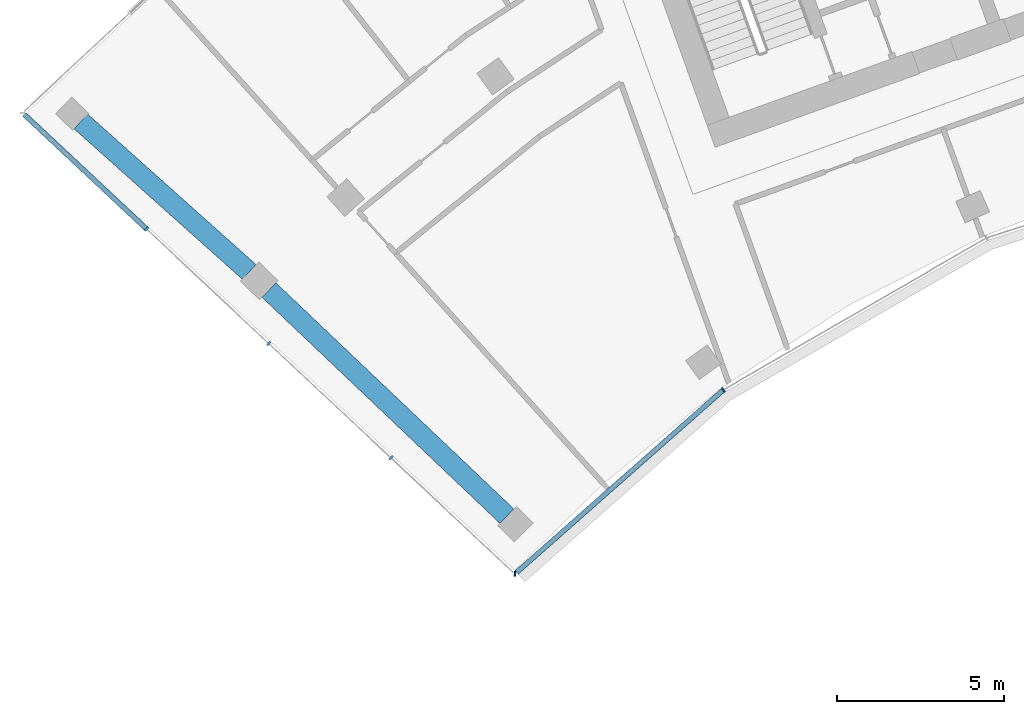
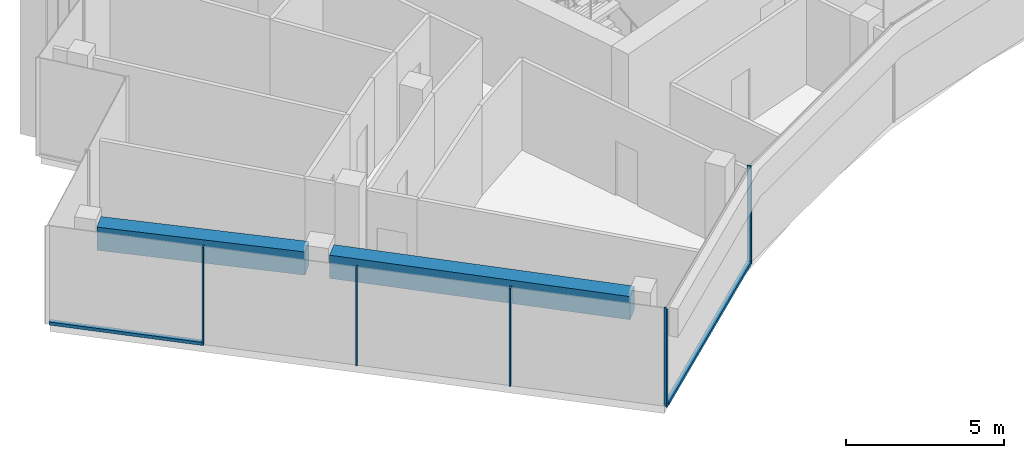
# One storey, part 2 of 19: 7 members, 2 beams, 2 elements without a shape of their own.
"""IFC4 building model written with IfcOpenShell, lengths in metres."""

from ifc_helpers import new_model, si_unit, direction, frame, origin, origin_2d, place, context, subcontext, project, spatial, rectangle, extrude, material, layer, layer_set, material_profile, profile_set, type_object, element, aggregate, save


model = new_model("IFC4")

# Units and contexts
model_context = context("Model", 3, precision=1e-05, world=origin(), true_north=direction((0.0, 1.0)))
body_context = subcontext(model_context, "Body", "Model", "MODEL_VIEW")
ifc_project = project(units=[si_unit("LENGTHUNIT", "METRE"), si_unit("AREAUNIT", "SQUARE_METRE"), si_unit("VOLUMEUNIT", "CUBIC_METRE"), si_unit("PLANEANGLEUNIT", "RADIAN"), si_unit("MASSUNIT", "GRAM", prefix="KILO")], contexts=[model_context])

# Site, building, storey
site_placement = place(None, origin())
site = spatial("IfcSite", under=ifc_project, at=site_placement, CompositionType="ELEMENT")
building_placement = place(site_placement, origin())
building = spatial("IfcBuilding", under=site, at=building_placement, Name="Stone Belt Terrace Tower", CompositionType="ELEMENT")
storey_placement = place(building_placement, frame((0.0, 0.0, 258.0)))
storey = spatial("IfcBuildingStorey", under=building, at=storey_placement, Name="L62", CompositionType="ELEMENT", Elevation=258.0)

# Curtain wall, members
ifc_material_1 = material(Name="Aluminium 6063-T6 anodised frame", Category="aluminium")
ifc_layer_1 = layer(ifc_material_1, 0.14990234375)
ifc_layer_set_1 = layer_set([ifc_layer_1], Name="CW-B unitised concave-face curtain wall")
curtain_wall_type_1 = type_object("IfcCurtainWallType", Name="CW-B unitised concave-face curtain wall", PredefinedType="NOTDEFINED", material=ifc_layer_set_1)
curtain_wall_1_placement = place(storey_placement, origin())
curtain_wall_1 = element("IfcCurtainWall", 1, at=curtain_wall_1_placement, inside=storey, type_object=curtain_wall_type_1, Name="CW-B concave face L62", PredefinedType="NOTDEFINED")
ifc_material_profile_1 = material_profile(ifc_material_1, rectangle(XDim=0.14990234375, YDim=0.050048828125, at=origin_2d()), Name="Aluminium 6063-T6 50x150")
ifc_profile_set_1 = profile_set([ifc_material_profile_1], Name="Aluminium 6063-T6 anodised frame")
member_type_1 = type_object("IfcMemberType", Name="CW-B mullion 50 x 150", PredefinedType="MULLION", material=ifc_profile_set_1)
member_1_placement = place(storey_placement, frame((-31.75244140625, 29.633056640625, 0.0), z_axis=(0.0, 0.0, 1.0), x_axis=(0.014681639593, 0.999892218921, 0.0)))
member_1 = element("IfcMember", 2, at=member_1_placement, type_object=member_type_1, Name="CW-B mullion 1", PredefinedType="MULLION", context=body_context, shape_type="SweptSolid", body=[
    extrude(rectangle(XDim=0.14990234375, YDim=0.050048828125, at=origin_2d()), origin(), (0.0, 0.0, 1.0), 3.800048828125),
])
member_2_placement = place(storey_placement, frame((-25.524658203125, 35.131103515625, 0.0), z_axis=(0.0, 0.0, 1.0), x_axis=(-0.583818854632, 0.811883947973, 0.0)))
member_2 = element("IfcMember", 3, at=member_2_placement, type_object=member_type_1, Name="CW-B mullion 2", PredefinedType="MULLION", context=body_context, shape_type="SweptSolid", body=[
    extrude(rectangle(XDim=0.14990234375, YDim=0.050048828125, at=origin_2d()), origin(), (0.0, 0.0, 1.0), 3.800048828125),
])
ifc_material_profile_2 = material_profile(ifc_material_1, rectangle(XDim=0.14990234375, YDim=0.1201171875, at=origin_2d()), Name="Aluminium 6063-T6 150x120")
ifc_profile_set_2 = profile_set([ifc_material_profile_2], Name="Aluminium 6063-T6 anodised frame")
member_type_2 = type_object("IfcMemberType", Name="CW-B transom 120 x 150", PredefinedType="USERDEFINED", material=ifc_profile_set_2)
member_3_placement = place(storey_placement, frame((-31.70068359375, 29.6787109375, 0.06005859375), z_axis=(0.749668527307, 0.661813492735, 0.0), x_axis=(-0.661813492735, 0.749668527307, 0.0)))
member_3 = element("IfcMember", 4, at=member_3_placement, type_object=member_type_2, Name="CW-B transom 1.1", ObjectType="TRANSOM", PredefinedType="USERDEFINED", context=body_context, shape_type="SweptSolid", body=[
    extrude(rectangle(XDim=0.14990234375, YDim=0.1201171875, at=origin_2d()), origin(), (0.0, 0.0, 1.0), 8.2060546875),
])
aggregate(curtain_wall_1, [member_1, member_2, member_3])

ifc_layer_2 = layer(ifc_material_1, 0.14990234375)
ifc_layer_set_2 = layer_set([ifc_layer_2], Name="CW-C stick curtain wall, horn ends and notches")
curtain_wall_type_2 = type_object("IfcCurtainWallType", Name="CW-C stick curtain wall, horn ends and notches", PredefinedType="NOTDEFINED", material=ifc_layer_set_2)
curtain_wall_2_placement = place(storey_placement, origin())
curtain_wall_2 = element("IfcCurtainWall", 5, at=curtain_wall_2_placement, inside=storey, type_object=curtain_wall_type_2, Name="CW-C end face L62", PredefinedType="NOTDEFINED")
ifc_material_profile_3 = material_profile(ifc_material_1, rectangle(XDim=0.14990234375, YDim=0.06005859375, at=origin_2d()), Name="Aluminium 6063-T6 60x150")
ifc_profile_set_3 = profile_set([ifc_material_profile_3], Name="Aluminium 6063-T6 anodised frame")
member_type_3 = type_object("IfcMemberType", Name="CW-C mullion 60 x 150", PredefinedType="MULLION", material=ifc_profile_set_3)
member_4_placement = place(storey_placement, frame((-42.750732421875, 39.932861328125, 0.0), z_axis=(0.0, 0.0, 1.0), x_axis=(0.683549434973, 0.729904219708, 0.0)))
member_4 = element("IfcMember", 6, at=member_4_placement, type_object=member_type_3, Name="CW-C mullion 2", PredefinedType="MULLION", context=body_context, shape_type="SweptSolid", body=[
    extrude(rectangle(XDim=0.14990234375, YDim=0.06005859375, at=origin_2d()), origin(), (0.0, 0.0, 1.0), 3.800048828125),
])
member_5_placement = place(storey_placement, frame((-39.10107421875, 36.51513671875, 0.0), z_axis=(0.0, 0.0, 1.0), x_axis=(0.683549434973, 0.729904219708, 0.0)))
member_5 = element("IfcMember", 7, at=member_5_placement, type_object=member_type_3, Name="CW-C mullion 3", PredefinedType="MULLION", context=body_context, shape_type="SweptSolid", body=[
    extrude(rectangle(XDim=0.14990234375, YDim=0.06005859375, at=origin_2d()), origin(), (0.0, 0.0, 1.0), 3.800048828125),
])
member_6_placement = place(storey_placement, frame((-35.45166015625, 33.097412109375, 0.0), z_axis=(0.0, 0.0, 1.0), x_axis=(0.683549434973, 0.729904219708, 0.0)))
member_6 = element("IfcMember", 8, at=member_6_placement, type_object=member_type_3, Name="CW-C mullion 4", PredefinedType="MULLION", context=body_context, shape_type="SweptSolid", body=[
    extrude(rectangle(XDim=0.14990234375, YDim=0.06005859375, at=origin_2d()), origin(), (0.0, 0.0, 1.0), 3.800048828125),
])
ifc_material_profile_4 = material_profile(ifc_material_1, rectangle(XDim=0.14990234375, YDim=0.1201171875, at=origin_2d()), Name="Aluminium 6063-T6 150x120")
ifc_profile_set_4 = profile_set([ifc_material_profile_4], Name="Aluminium 6063-T6 anodised frame")
member_type_4 = type_object("IfcMemberType", Name="CW-C transom 120 x 150", PredefinedType="USERDEFINED", material=ifc_profile_set_4)
member_7_placement = place(storey_placement, frame((-46.40380859375, 43.35400390625, 0.06005859375), z_axis=(0.729913558916, -0.683539462292, 0.0), x_axis=(0.683539462292, 0.729913558916, 0.0)))
member_7 = element("IfcMember", 9, at=member_7_placement, type_object=member_type_4, Name="CW-C transom 1.1", ObjectType="TRANSOM", PredefinedType="USERDEFINED", context=body_context, shape_type="SweptSolid", body=[
    extrude(rectangle(XDim=0.14990234375, YDim=0.1201171875, at=origin_2d()), origin(), (0.0, 0.0, 1.0), 4.97509765625),
])
aggregate(curtain_wall_2, [member_4, member_5, member_6, member_7])

# Beams
ifc_material_2 = material(Name="Concrete B60", Category="concrete")
ifc_material_profile_5 = material_profile(ifc_material_2, rectangle(XDim=0.60009765625, YDim=0.89990234375, at=origin_2d()), Name="RC 600x900")
ifc_profile_set_5 = profile_set([ifc_material_profile_5], Name="Concrete B60")
beam_type = type_object("IfcBeamType", Name="Edge beam RC 600x900 B60", PredefinedType="SPANDREL", material=ifc_profile_set_5)
beam_1_placement = place(storey_placement, frame((-31.98876953125, 31.35791015625, 3.030029296875), z_axis=(-0.72502367576, 0.688723942946, 0.0), x_axis=(-0.688723942946, -0.72502367576, 0.0)))
element("IfcBeam", 10, at=beam_1_placement, inside=storey, type_object=beam_type, Name="Edge beam L62 A P to Q", PredefinedType="SPANDREL", context=body_context, shape_type="SweptSolid", body=[
    extrude(rectangle(XDim=0.60009765625, YDim=0.89990234375, at=origin_2d()), origin(), (0.0, 0.0, 1.0), 9.80615234375),
])
beam_2_placement = place(storey_placement, frame((-39.68701171875, 38.65380859375, 3.030029296875), z_axis=(-0.745651125692, 0.666336550666, 0.0), x_axis=(-0.666336550666, -0.745651125692, 0.0)))
element("IfcBeam", 11, at=beam_2_placement, inside=storey, type_object=beam_type, Name="Edge beam L62 A Q to R", PredefinedType="SPANDREL", context=body_context, shape_type="SweptSolid", body=[
    extrude(rectangle(XDim=0.60009765625, YDim=0.89990234375, at=origin_2d()), origin(), (0.0, 0.0, 1.0), 6.744140625),
])

save(model, "model.ifc")
